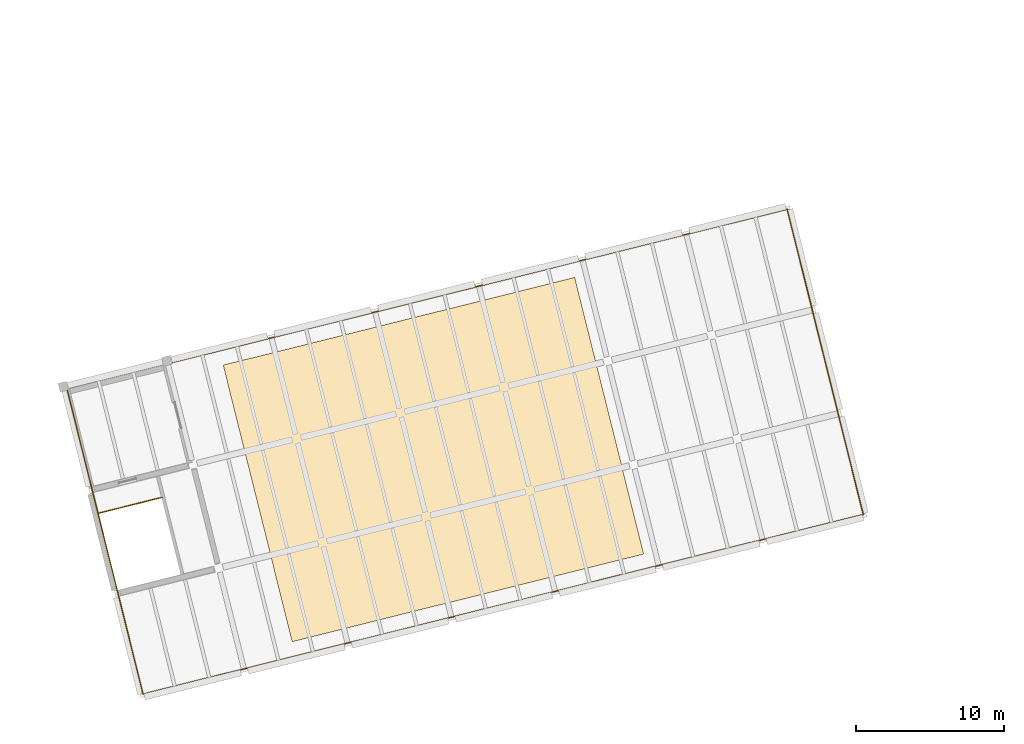
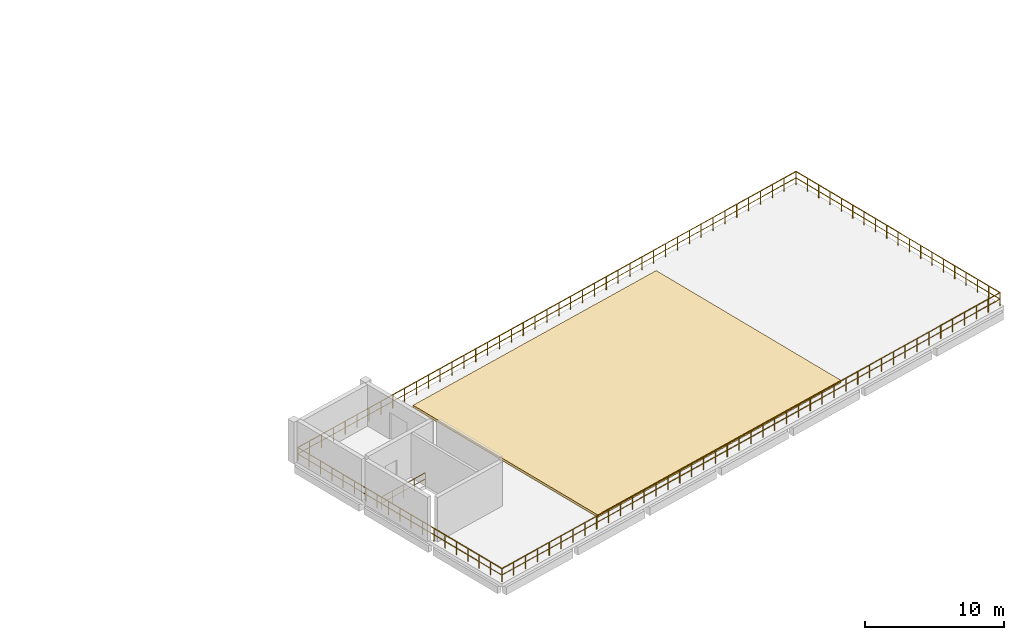
# One storey, part 10 of 11: 5 railings, 1 covering.
"""IFC4 building model written with IfcOpenShell, lengths in metres."""

from ifc_helpers import new_model, si_unit, direction, frame, origin, origin_2d, place, context, subcontext, project, spatial, polyline, circle, outline, extrude, material, layer, layer_set, type_object, element, save


model = new_model("IFC4")

# Units and contexts
model_context = context("Model", 3, precision=1e-05, world=origin(), true_north=direction((0.0, 1.0)))
body_context = subcontext(model_context, "Body", "Model", "MODEL_VIEW")
ifc_project = project(units=[si_unit("LENGTHUNIT", "METRE"), si_unit("AREAUNIT", "SQUARE_METRE"), si_unit("VOLUMEUNIT", "CUBIC_METRE"), si_unit("PLANEANGLEUNIT", "RADIAN"), si_unit("MASSUNIT", "GRAM", prefix="KILO")], contexts=[model_context])

# Site, building, storey
site_placement = place(None, origin())
site = spatial("IfcSite", under=ifc_project, at=site_placement, CompositionType="ELEMENT")
building_placement = place(site_placement, origin())
building = spatial("IfcBuilding", under=site, at=building_placement, Name="Qiaolan Assembly House", CompositionType="ELEMENT")
storey_placement = place(building_placement, frame((0.0, 0.0, 26.39990234375)))
storey = spatial("IfcBuildingStorey", under=building, at=storey_placement, Name="L06", CompositionType="ELEMENT", Elevation=26.39990234375)

# Covering
ifc_material_1 = material(Name="Planted green roof medium")
ifc_layer = layer(ifc_material_1, 0.219970703125)
ifc_layer_set = layer_set([ifc_layer], Name="Planted green roof medium")
covering_type = type_object("IfcCoveringType", Name="COV-ROOF-GREENBED", PredefinedType="ROOFING", material=ifc_layer_set)
covering_placement = place(storey_placement, origin())
element("IfcCovering", 1, at=covering_placement, inside=storey, type_object=covering_type, Name="GRF-01 South-East Wing Planted Roof Garden Bed", PredefinedType="ROOFING", context=body_context, shape_type="SweptSolid", body=[
    extrude(outline(polyline([(53.175048828125, 5.51904296875), (76.850341796875, 11.421875), (72.205322265625, 30.051513671875), (48.530029296875, 24.148681640625), (53.175048828125, 5.51904296875)])), origin(), (0.0, 0.0, 1.0), 0.22021484375),
])

# Railings
ifc_material_2 = material(Name="Anodised bronze aluminium", Category="aluminium")
railing_type_1 = type_object("IfcRailingType", Name="RAL-GUARD-STAIRWELL-1150", PredefinedType="GUARDRAIL", material=ifc_material_2)
railing_1_placement = place(storey_placement, frame((40.114990234375, 14.166259765625, 0.0)))
element("IfcRailing", 2, at=railing_1_placement, inside=storey, type_object=railing_type_1, Name="GR-01 top stairwell guard CORE-C L06", PredefinedType="GUARDRAIL", context=body_context, shape_type="SweptSolid", body=[
    extrude(circle(Radius=0.02392578125, at=origin_2d()), frame((0.0, 0.0, 1.1259765625), z_axis=(0.970291104491, 0.241940431812, 0.0), x_axis=(-0.241940431812, 0.970291104491, 0.0)), (0.0, 0.0, 1.0), 4.43994140625),
    extrude(circle(Radius=0.01611328125, at=origin_2d()), frame((0.0, 0.0, 0.574951171875), z_axis=(0.970291104491, 0.241940431812, 0.0), x_axis=(-0.241940431812, 0.970291104491, 0.0)), (0.0, 0.0, 1.0), 4.43994140625),
    extrude(circle(Radius=0.02099609375, at=origin_2d()), origin(), (0.0, 0.0, 1.0), 1.101806640625),
    extrude(circle(Radius=0.02099609375, at=origin_2d()), frame((1.0771484375, 0.2685546875, 0.0)), (0.0, 0.0, 1.0), 1.101806640625),
    extrude(circle(Radius=0.02099609375, at=origin_2d()), frame((2.154052734375, 0.537109375, 0.0)), (0.0, 0.0, 1.0), 1.101806640625),
    extrude(circle(Radius=0.02099609375, at=origin_2d()), frame((3.23095703125, 0.8056640625, 0.0)), (0.0, 0.0, 1.0), 1.101806640625),
    extrude(circle(Radius=0.02099609375, at=origin_2d()), frame((4.30810546875, 1.07421875, 0.0)), (0.0, 0.0, 1.0), 1.101806640625),
])
railing_type_2 = type_object("IfcRailingType", Name="RAL-GUARD-TERRACE-1180", PredefinedType="GUARDRAIL", material=ifc_material_2)
railing_2_placement = place(storey_placement, frame((43.1318359375, 1.984375, 0.0)))
element("IfcRailing", 3, at=railing_2_placement, inside=storey, type_object=railing_type_2, Name="GR-03 L06 South-East Wing Roof Garden Perimeter Guard seg 1", PredefinedType="GUARDRAIL", context=body_context, shape_type="SweptSolid", body=[
    extrude(circle(Radius=0.02392578125, at=origin_2d()), frame((0.0, 0.0, 1.15576171875), z_axis=(0.970296257426, 0.241919765264, 0.0), x_axis=(-0.241919765264, 0.970296257426, 0.0)), (0.0, 0.0, 1.0), 49.999755859375),
    extrude(circle(Radius=0.01611328125, at=origin_2d()), frame((0.0, 0.0, 0.58984375), z_axis=(0.970296257426, 0.241919765264, 0.0), x_axis=(-0.241919765264, 0.970296257426, 0.0)), (0.0, 0.0, 1.0), 49.999755859375),
    extrude(circle(Radius=0.02099609375, at=origin_2d()), origin(), (0.0, 0.0, 1.0), 1.1318359375),
    extrude(circle(Radius=0.02099609375, at=origin_2d()), frame((1.155029296875, 0.2880859375, 0.0)), (0.0, 0.0, 1.0), 1.1318359375),
    extrude(circle(Radius=0.02099609375, at=origin_2d()), frame((2.310302734375, 0.575927734375, 0.0)), (0.0, 0.0, 1.0), 1.1318359375),
    extrude(circle(Radius=0.02099609375, at=origin_2d()), frame((3.46533203125, 0.864013671875, 0.0)), (0.0, 0.0, 1.0), 1.1318359375),
    extrude(circle(Radius=0.02099609375, at=origin_2d()), frame((4.620361328125, 1.152099609375, 0.0)), (0.0, 0.0, 1.0), 1.1318359375),
    extrude(circle(Radius=0.02099609375, at=origin_2d()), frame((5.775634765625, 1.43994140625, 0.0)), (0.0, 0.0, 1.0), 1.1318359375),
    extrude(circle(Radius=0.02099609375, at=origin_2d()), frame((6.9306640625, 1.72802734375, 0.0)), (0.0, 0.0, 1.0), 1.1318359375),
    extrude(circle(Radius=0.02099609375, at=origin_2d()), frame((8.085693359375, 2.01611328125, 0.0)), (0.0, 0.0, 1.0), 1.1318359375),
    extrude(circle(Radius=0.02099609375, at=origin_2d()), frame((9.240966796875, 2.303955078125, 0.0)), (0.0, 0.0, 1.0), 1.1318359375),
    extrude(circle(Radius=0.02099609375, at=origin_2d()), frame((10.39599609375, 2.592041015625, 0.0)), (0.0, 0.0, 1.0), 1.1318359375),
    extrude(circle(Radius=0.02099609375, at=origin_2d()), frame((11.551025390625, 2.8798828125, 0.0)), (0.0, 0.0, 1.0), 1.1318359375),
    extrude(circle(Radius=0.02099609375, at=origin_2d()), frame((12.706298828125, 3.16796875, 0.0)), (0.0, 0.0, 1.0), 1.1318359375),
    extrude(circle(Radius=0.02099609375, at=origin_2d()), frame((13.861328125, 3.4560546875, 0.0)), (0.0, 0.0, 1.0), 1.1318359375),
    extrude(circle(Radius=0.02099609375, at=origin_2d()), frame((15.016357421875, 3.743896484375, 0.0)), (0.0, 0.0, 1.0), 1.1318359375),
    extrude(circle(Radius=0.02099609375, at=origin_2d()), frame((16.171630859375, 4.031982421875, 0.0)), (0.0, 0.0, 1.0), 1.1318359375),
    extrude(circle(Radius=0.02099609375, at=origin_2d()), frame((17.32666015625, 4.320068359375, 0.0)), (0.0, 0.0, 1.0), 1.1318359375),
    extrude(circle(Radius=0.02099609375, at=origin_2d()), frame((18.481689453125, 4.60791015625, 0.0)), (0.0, 0.0, 1.0), 1.1318359375),
    extrude(circle(Radius=0.02099609375, at=origin_2d()), frame((19.636962890625, 4.89599609375, 0.0)), (0.0, 0.0, 1.0), 1.1318359375),
    extrude(circle(Radius=0.02099609375, at=origin_2d()), frame((20.7919921875, 5.18408203125, 0.0)), (0.0, 0.0, 1.0), 1.1318359375),
    extrude(circle(Radius=0.02099609375, at=origin_2d()), frame((21.947021484375, 5.471923828125, 0.0)), (0.0, 0.0, 1.0), 1.1318359375),
    extrude(circle(Radius=0.02099609375, at=origin_2d()), frame((23.102294921875, 5.760009765625, 0.0)), (0.0, 0.0, 1.0), 1.1318359375),
    extrude(circle(Radius=0.02099609375, at=origin_2d()), frame((24.25732421875, 6.0478515625, 0.0)), (0.0, 0.0, 1.0), 1.1318359375),
    extrude(circle(Radius=0.02099609375, at=origin_2d()), frame((25.412353515625, 6.3359375, 0.0)), (0.0, 0.0, 1.0), 1.1318359375),
    extrude(circle(Radius=0.02099609375, at=origin_2d()), frame((26.567626953125, 6.6240234375, 0.0)), (0.0, 0.0, 1.0), 1.1318359375),
    extrude(circle(Radius=0.02099609375, at=origin_2d()), frame((27.72265625, 6.911865234375, 0.0)), (0.0, 0.0, 1.0), 1.1318359375),
    extrude(circle(Radius=0.02099609375, at=origin_2d()), frame((28.877685546875, 7.199951171875, 0.0)), (0.0, 0.0, 1.0), 1.1318359375),
    extrude(circle(Radius=0.02099609375, at=origin_2d()), frame((30.032958984375, 7.488037109375, 0.0)), (0.0, 0.0, 1.0), 1.1318359375),
    extrude(circle(Radius=0.02099609375, at=origin_2d()), frame((31.18798828125, 7.77587890625, 0.0)), (0.0, 0.0, 1.0), 1.1318359375),
    extrude(circle(Radius=0.02099609375, at=origin_2d()), frame((32.343017578125, 8.06396484375, 0.0)), (0.0, 0.0, 1.0), 1.1318359375),
    extrude(circle(Radius=0.02099609375, at=origin_2d()), frame((33.498291015625, 8.35205078125, 0.0)), (0.0, 0.0, 1.0), 1.1318359375),
    extrude(circle(Radius=0.02099609375, at=origin_2d()), frame((34.6533203125, 8.639892578125, 0.0)), (0.0, 0.0, 1.0), 1.1318359375),
    extrude(circle(Radius=0.02099609375, at=origin_2d()), frame((35.808349609375, 8.927978515625, 0.0)), (0.0, 0.0, 1.0), 1.1318359375),
    extrude(circle(Radius=0.02099609375, at=origin_2d()), frame((36.963623046875, 9.216064453125, 0.0)), (0.0, 0.0, 1.0), 1.1318359375),
    extrude(circle(Radius=0.02099609375, at=origin_2d()), frame((38.11865234375, 9.50390625, 0.0)), (0.0, 0.0, 1.0), 1.1318359375),
    extrude(circle(Radius=0.02099609375, at=origin_2d()), frame((39.273681640625, 9.7919921875, 0.0)), (0.0, 0.0, 1.0), 1.1318359375),
    extrude(circle(Radius=0.02099609375, at=origin_2d()), frame((40.428955078125, 10.080078125, 0.0)), (0.0, 0.0, 1.0), 1.1318359375),
    extrude(circle(Radius=0.02099609375, at=origin_2d()), frame((41.583984375, 10.367919921875, 0.0)), (0.0, 0.0, 1.0), 1.1318359375),
    extrude(circle(Radius=0.02099609375, at=origin_2d()), frame((42.739013671875, 10.656005859375, 0.0)), (0.0, 0.0, 1.0), 1.1318359375),
    extrude(circle(Radius=0.02099609375, at=origin_2d()), frame((43.894287109375, 10.94384765625, 0.0)), (0.0, 0.0, 1.0), 1.1318359375),
    extrude(circle(Radius=0.02099609375, at=origin_2d()), frame((45.04931640625, 11.23193359375, 0.0)), (0.0, 0.0, 1.0), 1.1318359375),
    extrude(circle(Radius=0.02099609375, at=origin_2d()), frame((46.204345703125, 11.52001953125, 0.0)), (0.0, 0.0, 1.0), 1.1318359375),
    extrude(circle(Radius=0.02099609375, at=origin_2d()), frame((47.359619140625, 11.807861328125, 0.0)), (0.0, 0.0, 1.0), 1.1318359375),
    extrude(circle(Radius=0.02099609375, at=origin_2d()), frame((48.5146484375, 12.095947265625, 0.0)), (0.0, 0.0, 1.0), 1.1318359375),
])
railing_3_placement = place(storey_placement, frame((91.646484375, 14.080322265625, 0.0)))
element("IfcRailing", 4, at=railing_3_placement, inside=storey, type_object=railing_type_2, Name="GR-03 L06 South-East Wing Roof Garden Perimeter Guard seg 2", PredefinedType="GUARDRAIL", context=body_context, shape_type="SweptSolid", body=[
    extrude(circle(Radius=0.02392578125, at=origin_2d()), frame((0.0, 0.0, 1.15576171875), z_axis=(-0.241917773363, 0.970296754056, 0.0), x_axis=(-0.970296754056, -0.241917773363, 0.0)), (0.0, 0.0, 1.0), 21.199951171875),
    extrude(circle(Radius=0.01611328125, at=origin_2d()), frame((0.0, 0.0, 0.58984375), z_axis=(-0.241917773363, 0.970296754056, 0.0), x_axis=(-0.970296754056, -0.241917773363, 0.0)), (0.0, 0.0, 1.0), 21.199951171875),
    extrude(circle(Radius=0.02099609375, at=origin_2d()), origin(), (0.0, 0.0, 1.0), 1.1318359375),
    extrude(circle(Radius=0.02099609375, at=origin_2d()), frame((-0.284912109375, 1.142822265625, 0.0)), (0.0, 0.0, 1.0), 1.1318359375),
    extrude(circle(Radius=0.02099609375, at=origin_2d()), frame((-0.56982421875, 2.28564453125, 0.0)), (0.0, 0.0, 1.0), 1.1318359375),
    extrude(circle(Radius=0.02099609375, at=origin_2d()), frame((-0.854736328125, 3.428466796875, 0.0)), (0.0, 0.0, 1.0), 1.1318359375),
    extrude(circle(Radius=0.02099609375, at=origin_2d()), frame((-1.1396484375, 4.5712890625, 0.0)), (0.0, 0.0, 1.0), 1.1318359375),
    extrude(circle(Radius=0.02099609375, at=origin_2d()), frame((-1.424560546875, 5.7138671875, 0.0)), (0.0, 0.0, 1.0), 1.1318359375),
    extrude(circle(Radius=0.02099609375, at=origin_2d()), frame((-1.70947265625, 6.856689453125, 0.0)), (0.0, 0.0, 1.0), 1.1318359375),
    extrude(circle(Radius=0.02099609375, at=origin_2d()), frame((-1.994384765625, 7.99951171875, 0.0)), (0.0, 0.0, 1.0), 1.1318359375),
    extrude(circle(Radius=0.02099609375, at=origin_2d()), frame((-2.279296875, 9.142333984375, 0.0)), (0.0, 0.0, 1.0), 1.1318359375),
    extrude(circle(Radius=0.02099609375, at=origin_2d()), frame((-2.564453125, 10.28515625, 0.0)), (0.0, 0.0, 1.0), 1.1318359375),
    extrude(circle(Radius=0.02099609375, at=origin_2d()), frame((-2.849365234375, 11.427978515625, 0.0)), (0.0, 0.0, 1.0), 1.1318359375),
    extrude(circle(Radius=0.02099609375, at=origin_2d()), frame((-3.13427734375, 12.57080078125, 0.0)), (0.0, 0.0, 1.0), 1.1318359375),
    extrude(circle(Radius=0.02099609375, at=origin_2d()), frame((-3.419189453125, 13.713623046875, 0.0)), (0.0, 0.0, 1.0), 1.1318359375),
    extrude(circle(Radius=0.02099609375, at=origin_2d()), frame((-3.7041015625, 14.8564453125, 0.0)), (0.0, 0.0, 1.0), 1.1318359375),
    extrude(circle(Radius=0.02099609375, at=origin_2d()), frame((-3.989013671875, 15.9990234375, 0.0)), (0.0, 0.0, 1.0), 1.1318359375),
    extrude(circle(Radius=0.02099609375, at=origin_2d()), frame((-4.27392578125, 17.141845703125, 0.0)), (0.0, 0.0, 1.0), 1.1318359375),
    extrude(circle(Radius=0.02099609375, at=origin_2d()), frame((-4.558837890625, 18.28466796875, 0.0)), (0.0, 0.0, 1.0), 1.1318359375),
    extrude(circle(Radius=0.02099609375, at=origin_2d()), frame((-4.84375, 19.427490234375, 0.0)), (0.0, 0.0, 1.0), 1.1318359375),
    extrude(circle(Radius=0.02099609375, at=origin_2d()), frame((-5.128662109375, 20.5703125, 0.0)), (0.0, 0.0, 1.0), 1.1318359375),
])
railing_4_placement = place(storey_placement, frame((86.517822265625, 34.650634765625, 0.0)))
element("IfcRailing", 5, at=railing_4_placement, inside=storey, type_object=railing_type_2, Name="GR-03 L06 South-East Wing Roof Garden Perimeter Guard seg 3", PredefinedType="GUARDRAIL", context=body_context, shape_type="SweptSolid", body=[
    extrude(circle(Radius=0.02392578125, at=origin_2d()), frame((0.0, 0.0, 1.15576171875), z_axis=(-0.970295111251, -0.241924362316, 0.0), x_axis=(0.241924362316, -0.970295111251, 0.0)), (0.0, 0.0, 1.0), 50.0),
    extrude(circle(Radius=0.01611328125, at=origin_2d()), frame((0.0, 0.0, 0.58984375), z_axis=(-0.970295111251, -0.241924362316, 0.0), x_axis=(0.241924362316, -0.970295111251, 0.0)), (0.0, 0.0, 1.0), 50.0),
    extrude(circle(Radius=0.02099609375, at=origin_2d()), origin(), (0.0, 0.0, 1.0), 1.1318359375),
    extrude(circle(Radius=0.02099609375, at=origin_2d()), frame((-1.155029296875, -0.2880859375, 0.0)), (0.0, 0.0, 1.0), 1.1318359375),
    extrude(circle(Radius=0.02099609375, at=origin_2d()), frame((-2.310302734375, -0.575927734375, 0.0)), (0.0, 0.0, 1.0), 1.1318359375),
    extrude(circle(Radius=0.02099609375, at=origin_2d()), frame((-3.46533203125, -0.864013671875, 0.0)), (0.0, 0.0, 1.0), 1.1318359375),
    extrude(circle(Radius=0.02099609375, at=origin_2d()), frame((-4.620361328125, -1.152099609375, 0.0)), (0.0, 0.0, 1.0), 1.1318359375),
    extrude(circle(Radius=0.02099609375, at=origin_2d()), frame((-5.775634765625, -1.43994140625, 0.0)), (0.0, 0.0, 1.0), 1.1318359375),
    extrude(circle(Radius=0.02099609375, at=origin_2d()), frame((-6.9306640625, -1.72802734375, 0.0)), (0.0, 0.0, 1.0), 1.1318359375),
    extrude(circle(Radius=0.02099609375, at=origin_2d()), frame((-8.085693359375, -2.01611328125, 0.0)), (0.0, 0.0, 1.0), 1.1318359375),
    extrude(circle(Radius=0.02099609375, at=origin_2d()), frame((-9.240966796875, -2.303955078125, 0.0)), (0.0, 0.0, 1.0), 1.1318359375),
    extrude(circle(Radius=0.02099609375, at=origin_2d()), frame((-10.39599609375, -2.592041015625, 0.0)), (0.0, 0.0, 1.0), 1.1318359375),
    extrude(circle(Radius=0.02099609375, at=origin_2d()), frame((-11.551025390625, -2.880126953125, 0.0)), (0.0, 0.0, 1.0), 1.1318359375),
    extrude(circle(Radius=0.02099609375, at=origin_2d()), frame((-12.706298828125, -3.16796875, 0.0)), (0.0, 0.0, 1.0), 1.1318359375),
    extrude(circle(Radius=0.02099609375, at=origin_2d()), frame((-13.861328125, -3.4560546875, 0.0)), (0.0, 0.0, 1.0), 1.1318359375),
    extrude(circle(Radius=0.02099609375, at=origin_2d()), frame((-15.016357421875, -3.744140625, 0.0)), (0.0, 0.0, 1.0), 1.1318359375),
    extrude(circle(Radius=0.02099609375, at=origin_2d()), frame((-16.171630859375, -4.031982421875, 0.0)), (0.0, 0.0, 1.0), 1.1318359375),
    extrude(circle(Radius=0.02099609375, at=origin_2d()), frame((-17.32666015625, -4.320068359375, 0.0)), (0.0, 0.0, 1.0), 1.1318359375),
    extrude(circle(Radius=0.02099609375, at=origin_2d()), frame((-18.481689453125, -4.608154296875, 0.0)), (0.0, 0.0, 1.0), 1.1318359375),
    extrude(circle(Radius=0.02099609375, at=origin_2d()), frame((-19.636962890625, -4.89599609375, 0.0)), (0.0, 0.0, 1.0), 1.1318359375),
    extrude(circle(Radius=0.02099609375, at=origin_2d()), frame((-20.7919921875, -5.18408203125, 0.0)), (0.0, 0.0, 1.0), 1.1318359375),
    extrude(circle(Radius=0.02099609375, at=origin_2d()), frame((-21.947021484375, -5.47216796875, 0.0)), (0.0, 0.0, 1.0), 1.1318359375),
    extrude(circle(Radius=0.02099609375, at=origin_2d()), frame((-23.102294921875, -5.760009765625, 0.0)), (0.0, 0.0, 1.0), 1.1318359375),
    extrude(circle(Radius=0.02099609375, at=origin_2d()), frame((-24.25732421875, -6.048095703125, 0.0)), (0.0, 0.0, 1.0), 1.1318359375),
    extrude(circle(Radius=0.02099609375, at=origin_2d()), frame((-25.412353515625, -6.336181640625, 0.0)), (0.0, 0.0, 1.0), 1.1318359375),
    extrude(circle(Radius=0.02099609375, at=origin_2d()), frame((-26.567626953125, -6.6240234375, 0.0)), (0.0, 0.0, 1.0), 1.1318359375),
    extrude(circle(Radius=0.02099609375, at=origin_2d()), frame((-27.72265625, -6.912109375, 0.0)), (0.0, 0.0, 1.0), 1.1318359375),
    extrude(circle(Radius=0.02099609375, at=origin_2d()), frame((-28.877685546875, -7.2001953125, 0.0)), (0.0, 0.0, 1.0), 1.1318359375),
    extrude(circle(Radius=0.02099609375, at=origin_2d()), frame((-30.032958984375, -7.488037109375, 0.0)), (0.0, 0.0, 1.0), 1.1318359375),
    extrude(circle(Radius=0.02099609375, at=origin_2d()), frame((-31.18798828125, -7.776123046875, 0.0)), (0.0, 0.0, 1.0), 1.1318359375),
    extrude(circle(Radius=0.02099609375, at=origin_2d()), frame((-32.343017578125, -8.064208984375, 0.0)), (0.0, 0.0, 1.0), 1.1318359375),
    extrude(circle(Radius=0.02099609375, at=origin_2d()), frame((-33.498291015625, -8.35205078125, 0.0)), (0.0, 0.0, 1.0), 1.1318359375),
    extrude(circle(Radius=0.02099609375, at=origin_2d()), frame((-34.6533203125, -8.64013671875, 0.0)), (0.0, 0.0, 1.0), 1.1318359375),
    extrude(circle(Radius=0.02099609375, at=origin_2d()), frame((-35.808349609375, -8.92822265625, 0.0)), (0.0, 0.0, 1.0), 1.1318359375),
    extrude(circle(Radius=0.02099609375, at=origin_2d()), frame((-36.963623046875, -9.216064453125, 0.0)), (0.0, 0.0, 1.0), 1.1318359375),
    extrude(circle(Radius=0.02099609375, at=origin_2d()), frame((-38.11865234375, -9.504150390625, 0.0)), (0.0, 0.0, 1.0), 1.1318359375),
    extrude(circle(Radius=0.02099609375, at=origin_2d()), frame((-39.273681640625, -9.792236328125, 0.0)), (0.0, 0.0, 1.0), 1.1318359375),
    extrude(circle(Radius=0.02099609375, at=origin_2d()), frame((-40.428955078125, -10.080078125, 0.0)), (0.0, 0.0, 1.0), 1.1318359375),
    extrude(circle(Radius=0.02099609375, at=origin_2d()), frame((-41.583984375, -10.3681640625, 0.0)), (0.0, 0.0, 1.0), 1.1318359375),
    extrude(circle(Radius=0.02099609375, at=origin_2d()), frame((-42.739013671875, -10.65625, 0.0)), (0.0, 0.0, 1.0), 1.1318359375),
    extrude(circle(Radius=0.02099609375, at=origin_2d()), frame((-43.894287109375, -10.944091796875, 0.0)), (0.0, 0.0, 1.0), 1.1318359375),
    extrude(circle(Radius=0.02099609375, at=origin_2d()), frame((-45.04931640625, -11.232177734375, 0.0)), (0.0, 0.0, 1.0), 1.1318359375),
    extrude(circle(Radius=0.02099609375, at=origin_2d()), frame((-46.204345703125, -11.520263671875, 0.0)), (0.0, 0.0, 1.0), 1.1318359375),
    extrude(circle(Radius=0.02099609375, at=origin_2d()), frame((-47.359619140625, -11.80810546875, 0.0)), (0.0, 0.0, 1.0), 1.1318359375),
    extrude(circle(Radius=0.02099609375, at=origin_2d()), frame((-48.5146484375, -12.09619140625, 0.0)), (0.0, 0.0, 1.0), 1.1318359375),
])
railing_5_placement = place(storey_placement, frame((38.003173828125, 22.554443359375, 0.0)))
element("IfcRailing", 6, at=railing_5_placement, inside=storey, type_object=railing_type_2, Name="GR-03 L06 South-East Wing Roof Garden Perimeter Guard seg 4", PredefinedType="GUARDRAIL", context=body_context, shape_type="SweptSolid", body=[
    extrude(circle(Radius=0.02392578125, at=origin_2d()), frame((0.0, 0.0, 1.15576171875), z_axis=(0.241920476579, -0.970296080076, 0.0), x_axis=(0.970296080076, 0.241920476579, 0.0)), (0.0, 0.0, 1.0), 21.19970703125),
    extrude(circle(Radius=0.01611328125, at=origin_2d()), frame((0.0, 0.0, 0.58984375), z_axis=(0.241920476579, -0.970296080076, 0.0), x_axis=(0.970296080076, 0.241920476579, 0.0)), (0.0, 0.0, 1.0), 21.19970703125),
    extrude(circle(Radius=0.02099609375, at=origin_2d()), origin(), (0.0, 0.0, 1.0), 1.1318359375),
    extrude(circle(Radius=0.02099609375, at=origin_2d()), frame((0.284912109375, -1.142822265625, 0.0)), (0.0, 0.0, 1.0), 1.1318359375),
    extrude(circle(Radius=0.02099609375, at=origin_2d()), frame((0.56982421875, -2.28564453125, 0.0)), (0.0, 0.0, 1.0), 1.1318359375),
    extrude(circle(Radius=0.02099609375, at=origin_2d()), frame((0.854736328125, -3.42822265625, 0.0)), (0.0, 0.0, 1.0), 1.1318359375),
    extrude(circle(Radius=0.02099609375, at=origin_2d()), frame((1.1396484375, -4.571044921875, 0.0)), (0.0, 0.0, 1.0), 1.1318359375),
    extrude(circle(Radius=0.02099609375, at=origin_2d()), frame((1.424560546875, -5.7138671875, 0.0)), (0.0, 0.0, 1.0), 1.1318359375),
    extrude(circle(Radius=0.02099609375, at=origin_2d()), frame((1.70947265625, -6.856689453125, 0.0)), (0.0, 0.0, 1.0), 1.1318359375),
    extrude(circle(Radius=0.02099609375, at=origin_2d()), frame((1.994384765625, -7.99951171875, 0.0)), (0.0, 0.0, 1.0), 1.1318359375),
    extrude(circle(Radius=0.02099609375, at=origin_2d()), frame((2.279296875, -9.142333984375, 0.0)), (0.0, 0.0, 1.0), 1.1318359375),
    extrude(circle(Radius=0.02099609375, at=origin_2d()), frame((2.564453125, -10.28515625, 0.0)), (0.0, 0.0, 1.0), 1.1318359375),
    extrude(circle(Radius=0.02099609375, at=origin_2d()), frame((2.849365234375, -11.427734375, 0.0)), (0.0, 0.0, 1.0), 1.1318359375),
    extrude(circle(Radius=0.02099609375, at=origin_2d()), frame((3.13427734375, -12.570556640625, 0.0)), (0.0, 0.0, 1.0), 1.1318359375),
    extrude(circle(Radius=0.02099609375, at=origin_2d()), frame((3.419189453125, -13.71337890625, 0.0)), (0.0, 0.0, 1.0), 1.1318359375),
    extrude(circle(Radius=0.02099609375, at=origin_2d()), frame((3.7041015625, -14.856201171875, 0.0)), (0.0, 0.0, 1.0), 1.1318359375),
    extrude(circle(Radius=0.02099609375, at=origin_2d()), frame((3.989013671875, -15.9990234375, 0.0)), (0.0, 0.0, 1.0), 1.1318359375),
    extrude(circle(Radius=0.02099609375, at=origin_2d()), frame((4.27392578125, -17.1416015625, 0.0)), (0.0, 0.0, 1.0), 1.1318359375),
    extrude(circle(Radius=0.02099609375, at=origin_2d()), frame((4.558837890625, -18.284423828125, 0.0)), (0.0, 0.0, 1.0), 1.1318359375),
    extrude(circle(Radius=0.02099609375, at=origin_2d()), frame((4.84375, -19.42724609375, 0.0)), (0.0, 0.0, 1.0), 1.1318359375),
    extrude(circle(Radius=0.02099609375, at=origin_2d()), frame((5.128662109375, -20.570068359375, 0.0)), (0.0, 0.0, 1.0), 1.1318359375),
])

save(model, "model.ifc")
